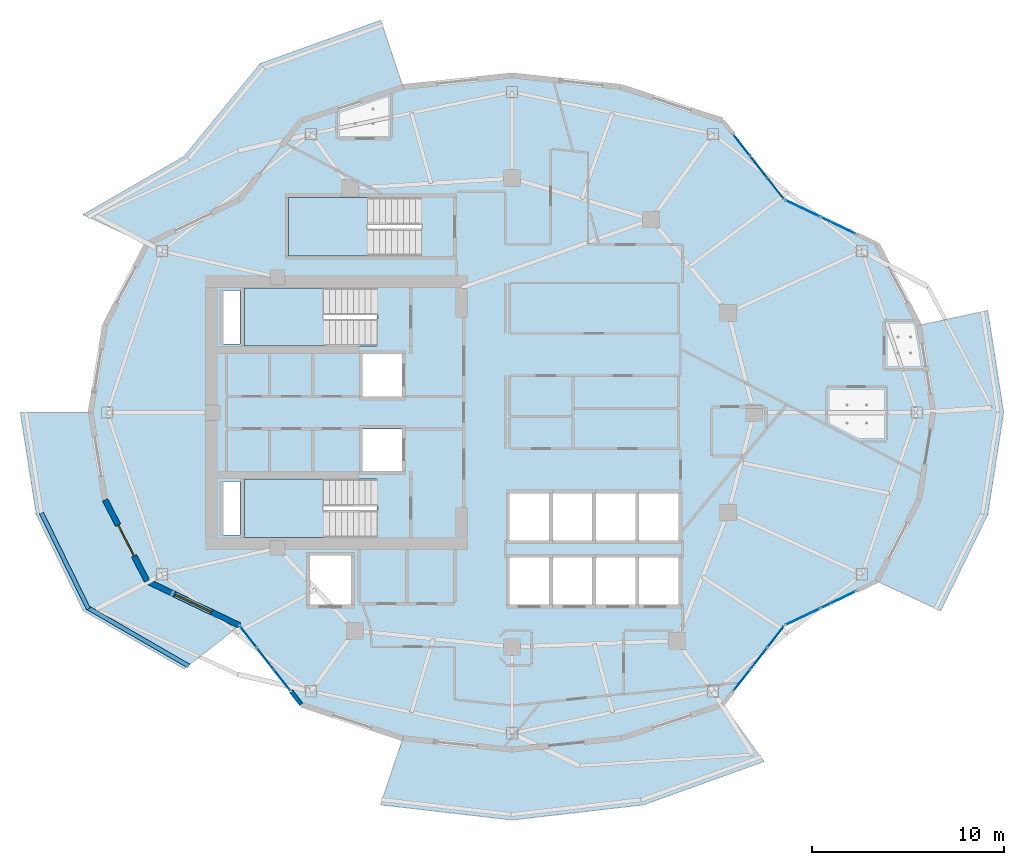
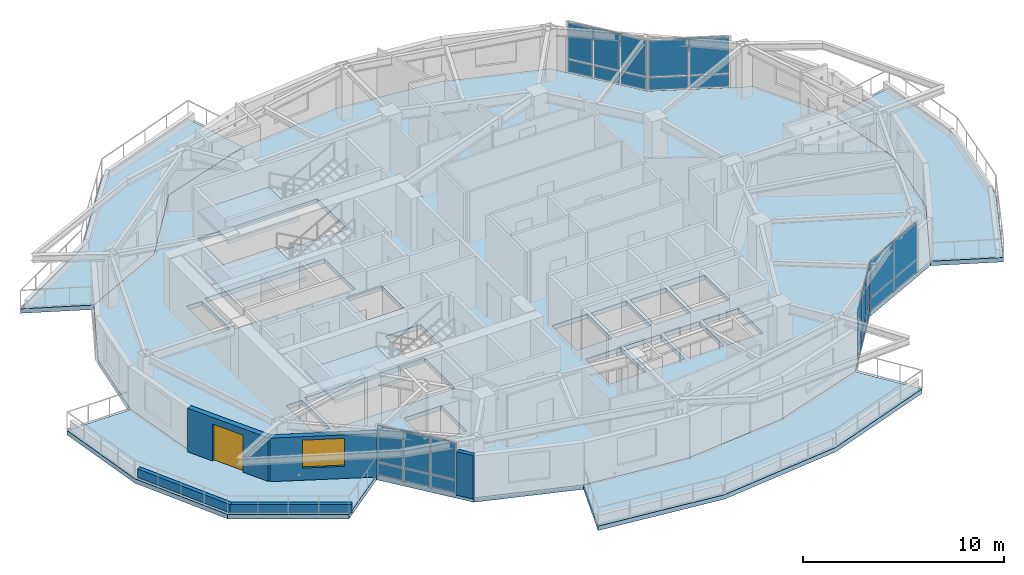
# One storey, part 7 of 18: 31 plates, 8 slabs, 5 walls, 1 door, 1 window, 2 openings, 8 elements without a shape of their own.
"""IFC4 building model written with IfcOpenShell, lengths in metres."""

from ifc_helpers import new_model, si_unit, direction, frame, frame_2d, origin, origin_2d, place, context, subcontext, project, spatial, polyline, rectangle, outline, extrude, material, layer, layer_set, type_object, element, fill, aggregate, save


model = new_model("IFC4")

# Units and contexts
model_context = context("Model", 3, precision=1e-05, world=origin(), true_north=direction((0.0, 1.0)))
body_context = subcontext(model_context, "Body", "Model", "MODEL_VIEW")
ifc_project = project(units=[si_unit("LENGTHUNIT", "METRE"), si_unit("AREAUNIT", "SQUARE_METRE"), si_unit("VOLUMEUNIT", "CUBIC_METRE"), si_unit("PLANEANGLEUNIT", "RADIAN"), si_unit("MASSUNIT", "GRAM", prefix="KILO")], contexts=[model_context])

# Site, building, storey
site_placement = place(None, origin())
site = spatial("IfcSite", under=ifc_project, at=site_placement, CompositionType="ELEMENT")
building_placement = place(site_placement, origin())
building = spatial("IfcBuilding", under=site, at=building_placement, Name="Kolvaren Gate Tower and Convention Centre", CompositionType="ELEMENT")
storey_placement = place(building_placement, frame((0.0, 0.0, 176.699951171875)))
storey = spatial("IfcBuildingStorey", under=building, at=storey_placement, Name="L46", CompositionType="ELEMENT", Elevation=176.699951171875)

# Plates
ifc_material_1 = material(Name="Perforated Anodized Bronze Aluminium Sheet 6 mm", Category="aluminium")
ifc_layer_1 = layer(ifc_material_1, 0.011962890625)
ifc_layer_set_1 = layer_set([ifc_layer_1], Name="Perforated Anodized Bronze Aluminium Sheet 6 mm")
plate_type_1 = type_object("IfcPlateType", Name="ARCH-PL-SCREEN-PERF", PredefinedType="SHEET", material=ifc_layer_set_1)
for number, where, z_axis, x_axis, name in (
    (1, (46.718505859375, 36.930419921875, 2.2900390625), (0.0, 0.0, 1.0), (0.901358389955, -0.433073957723, 0.0), "Tower L46 Perforated Bronze Solar Screen SS-02"),
    (2, (42.70361328125, 40.142333984375, 2.2900390625), (0.0, 0.0, 1.0), (0.616434119112, -0.787406487651, 0.0), "Tower L46 Perforated Bronze Solar Screen SS-03"),
    (3, (17.54638671875, 13.857666015625, 2.2900390625), (0.0, 0.0, 1.0), (0.616434119112, -0.787406487651, 0.0), "Tower L46 Perforated Bronze Solar Screen SS-15"),
    (4, (42.70361328125, 13.857666015625, 2.2900390625), (0.0, 0.0, 1.0), (0.616434119112, 0.787406487651, 0.0), "Tower L46 Perforated Bronze Solar Screen SS-20"),
    (5, (46.718505859375, 17.069580078125, 2.2900390625), (0.0, 0.0, 1.0), (0.901358389955, 0.433073957723, 0.0), "Tower L46 Perforated Bronze Solar Screen SS-21"),
):
    element("IfcPlate", number, at=place(storey_placement, frame(where, z_axis=z_axis, x_axis=x_axis)), inside=storey, type_object=plate_type_1, Name=name, PredefinedType="SHEET", context=body_context, shape_type="SweptSolid", body=[
        extrude(rectangle(XDim=2.60009765625, YDim=0.011962890625, at=origin_2d()), origin(), (0.0, 0.0, 1.0), 0.840087890625),
    ])

# Curtain wall, plates
ifc_material_2 = material(Name="Anodized Architectural Aluminium Alloy 6063-T6", Category="aluminium")
ifc_layer_2 = layer(ifc_material_2, 0.159912109375)
ifc_layer_set_2 = layer_set([ifc_layer_2], Name="Anodized Architectural Aluminium Alloy 6063-T6")
curtain_wall_type = type_object("IfcCurtainWallType", Name="CW-HTL-UNIT", PredefinedType="NOTDEFINED", material=ifc_layer_set_2)
curtain_wall_1_placement = place(storey_placement, origin())
curtain_wall_1 = element("IfcCurtainWall", 6, at=curtain_wall_1_placement, inside=storey, type_object=curtain_wall_type, Name="Tower L46 Unitised Curtain Wall CW-HTL-UNIT Bay 02", PredefinedType="NOTDEFINED")
ifc_material_3 = material(Name="Low-E Triple Insulated Glazing Unit 44 mm", Category="glass")
ifc_layer_3 = layer(ifc_material_3, 0.0439453125)
ifc_layer_set_3 = layer_set([ifc_layer_3], Name="Low-E Triple Insulated Glazing Unit 44 mm")
plate_type_2 = type_object("IfcPlateType", Name="CW-PL-IGU-44", PredefinedType="CURTAIN_PANEL", material=ifc_layer_set_3)
plate_1_placement = place(storey_placement, frame((45.264404296875, 37.629150390625, 0.882568359375), z_axis=(0.0, 0.0, 1.0), x_axis=(0.901358493371, -0.433073742482, 0.0)))
plate_1 = element("IfcPlate", 7, at=plate_1_placement, type_object=plate_type_2, Name="CW-03 panel 1.2", PredefinedType="CURTAIN_PANEL", context=body_context, shape_type="SweptSolid", body=[
    extrude(rectangle(XDim=1.97998046875, YDim=0.0439453125, at=origin_2d()), origin(), (0.0, 0.0, 1.0), 2.1826171875),
])
plate_2_placement = place(storey_placement, frame((47.107666015625, 36.743408203125, 0.882568359375), z_axis=(0.0, 0.0, 1.0), x_axis=(0.901358493371, -0.433073742482, 0.0)))
plate_2 = element("IfcPlate", 8, at=plate_2_placement, type_object=plate_type_2, Name="CW-03 panel 2.2", PredefinedType="CURTAIN_PANEL", context=body_context, shape_type="SweptSolid", body=[
    extrude(rectangle(XDim=1.97998046875, YDim=0.0439453125, at=origin_2d()), origin(), (0.0, 0.0, 1.0), 2.1826171875),
])

curtain_wall_2_placement = place(storey_placement, origin())
curtain_wall_2 = element("IfcCurtainWall", 9, at=curtain_wall_2_placement, inside=storey, type_object=curtain_wall_type, Name="Tower L46 Unitised Curtain Wall CW-HTL-UNIT Bay 03", PredefinedType="NOTDEFINED")
plate_3_placement = place(storey_placement, frame((42.09033203125, 40.925537109375, 0.882568359375), z_axis=(0.0, 0.0, 1.0), x_axis=(0.616437890084, -0.787403535469, 0.0)))
plate_3 = element("IfcPlate", 10, at=plate_3_placement, type_object=plate_type_2, Name="CW-03 panel 1.2", PredefinedType="CURTAIN_PANEL", context=body_context, shape_type="SweptSolid", body=[
    extrude(rectangle(XDim=1.3515625, YDim=0.0439453125, at=origin_2d()), origin(), (0.0, 0.0, 1.0), 2.1826171875),
])
plate_4_placement = place(storey_placement, frame((42.9736328125, 39.79736328125, 0.882568359375), z_axis=(0.0, 0.0, 1.0), x_axis=(0.616437890084, -0.787403535469, 0.0)))
plate_4 = element("IfcPlate", 11, at=plate_4_placement, type_object=plate_type_2, Name="CW-03 panel 2.2", PredefinedType="CURTAIN_PANEL", context=body_context, shape_type="SweptSolid", body=[
    extrude(rectangle(XDim=1.384033203125, YDim=0.0439453125, at=origin_2d()), origin(), (0.0, 0.0, 1.0), 2.1826171875),
])
plate_5_placement = place(storey_placement, frame((43.85693359375, 38.669189453125, 0.882568359375), z_axis=(0.0, 0.0, 1.0), x_axis=(0.616437890084, -0.787403535469, 0.0)))
plate_5 = element("IfcPlate", 12, at=plate_5_placement, type_object=plate_type_2, Name="CW-03 panel 3.2", PredefinedType="CURTAIN_PANEL", context=body_context, shape_type="SweptSolid", body=[
    extrude(rectangle(XDim=1.3515625, YDim=0.0439453125, at=origin_2d()), origin(), (0.0, 0.0, 1.0), 2.1826171875),
])

curtain_wall_3_placement = place(storey_placement, origin())
curtain_wall_3 = element("IfcCurtainWall", 13, at=curtain_wall_3_placement, inside=storey, type_object=curtain_wall_type, Name="Tower L46 Unitised Curtain Wall CW-HTL-UNIT Bay 15", PredefinedType="NOTDEFINED")
plate_6_placement = place(storey_placement, frame((16.39306640625, 15.330810546875, 0.882568359375), z_axis=(0.0, 0.0, 1.0), x_axis=(0.616423627213, -0.787414701294, 0.0)))
plate_6 = element("IfcPlate", 14, at=plate_6_placement, type_object=plate_type_2, Name="CW-03 panel 1.2", PredefinedType="CURTAIN_PANEL", context=body_context, shape_type="SweptSolid", body=[
    extrude(rectangle(XDim=1.3515625, YDim=0.0439453125, at=origin_2d()), origin(), (0.0, 0.0, 1.0), 2.1826171875),
])
plate_7_placement = place(storey_placement, frame((17.2763671875, 14.20263671875, 0.882568359375), z_axis=(0.0, 0.0, 1.0), x_axis=(0.616423627213, -0.787414701294, 0.0)))
plate_7 = element("IfcPlate", 15, at=plate_7_placement, type_object=plate_type_2, Name="CW-03 panel 2.2", PredefinedType="CURTAIN_PANEL", context=body_context, shape_type="SweptSolid", body=[
    extrude(rectangle(XDim=1.384033203125, YDim=0.0439453125, at=origin_2d()), origin(), (0.0, 0.0, 1.0), 2.1826171875),
])
plate_8_placement = place(storey_placement, frame((18.159423828125, 13.074462890625, 0.882568359375), z_axis=(0.0, 0.0, 1.0), x_axis=(0.616423627213, -0.787414701294, 0.0)))
plate_8 = element("IfcPlate", 16, at=plate_8_placement, type_object=plate_type_2, Name="CW-03 panel 3.2", PredefinedType="CURTAIN_PANEL", context=body_context, shape_type="SweptSolid", body=[
    extrude(rectangle(XDim=1.3515625, YDim=0.0439453125, at=origin_2d()), origin(), (0.0, 0.0, 1.0), 2.1826171875),
])

curtain_wall_4_placement = place(storey_placement, origin())
curtain_wall_4 = element("IfcCurtainWall", 17, at=curtain_wall_4_placement, inside=storey, type_object=curtain_wall_type, Name="Tower L46 Unitised Curtain Wall CW-HTL-UNIT Bay 20", PredefinedType="NOTDEFINED")
plate_9_placement = place(storey_placement, frame((42.09033203125, 13.074462890625, 0.882568359375), z_axis=(0.0, 0.0, 1.0), x_axis=(0.616437890084, 0.787403535469, 0.0)))
plate_9 = element("IfcPlate", 18, at=plate_9_placement, type_object=plate_type_2, Name="CW-03 panel 1.2", PredefinedType="CURTAIN_PANEL", context=body_context, shape_type="SweptSolid", body=[
    extrude(rectangle(XDim=1.3515625, YDim=0.0439453125, at=origin_2d()), origin(), (0.0, 0.0, 1.0), 2.1826171875),
])
plate_10_placement = place(storey_placement, frame((42.9736328125, 14.20263671875, 0.882568359375), z_axis=(0.0, 0.0, 1.0), x_axis=(0.616437890084, 0.787403535469, 0.0)))
plate_10 = element("IfcPlate", 19, at=plate_10_placement, type_object=plate_type_2, Name="CW-03 panel 2.2", PredefinedType="CURTAIN_PANEL", context=body_context, shape_type="SweptSolid", body=[
    extrude(rectangle(XDim=1.384033203125, YDim=0.0439453125, at=origin_2d()), origin(), (0.0, 0.0, 1.0), 2.1826171875),
])
plate_11_placement = place(storey_placement, frame((43.85693359375, 15.330810546875, 0.882568359375), z_axis=(0.0, 0.0, 1.0), x_axis=(0.616437890084, 0.787403535469, 0.0)))
plate_11 = element("IfcPlate", 20, at=plate_11_placement, type_object=plate_type_2, Name="CW-03 panel 3.2", PredefinedType="CURTAIN_PANEL", context=body_context, shape_type="SweptSolid", body=[
    extrude(rectangle(XDim=1.3515625, YDim=0.0439453125, at=origin_2d()), origin(), (0.0, 0.0, 1.0), 2.1826171875),
])

curtain_wall_5_placement = place(storey_placement, origin())
curtain_wall_5 = element("IfcCurtainWall", 21, at=curtain_wall_5_placement, inside=storey, type_object=curtain_wall_type, Name="Tower L46 Unitised Curtain Wall CW-HTL-UNIT Bay 21", PredefinedType="NOTDEFINED")
plate_12_placement = place(storey_placement, frame((45.264404296875, 16.370849609375, 0.882568359375), z_axis=(0.0, 0.0, 1.0), x_axis=(0.901358493371, 0.433073742482, 0.0)))
plate_12 = element("IfcPlate", 22, at=plate_12_placement, type_object=plate_type_2, Name="CW-03 panel 1.2", PredefinedType="CURTAIN_PANEL", context=body_context, shape_type="SweptSolid", body=[
    extrude(rectangle(XDim=1.97998046875, YDim=0.0439453125, at=origin_2d()), origin(), (0.0, 0.0, 1.0), 2.1826171875),
])
plate_13_placement = place(storey_placement, frame((47.107666015625, 17.256591796875, 0.882568359375), z_axis=(0.0, 0.0, 1.0), x_axis=(0.901358493371, 0.433073742482, 0.0)))
plate_13 = element("IfcPlate", 23, at=plate_13_placement, type_object=plate_type_2, Name="CW-03 panel 2.2", PredefinedType="CURTAIN_PANEL", context=body_context, shape_type="SweptSolid", body=[
    extrude(rectangle(XDim=1.97998046875, YDim=0.0439453125, at=origin_2d()), origin(), (0.0, 0.0, 1.0), 2.1826171875),
])

# Plate
ifc_material_4 = material(Name="Solar-Control Laminated Curtain Glazing 36 mm", Category="glass")
ifc_layer_4 = layer(ifc_material_4, 0.035888671875)
ifc_layer_set_4 = layer_set([ifc_layer_4], Name="Solar-Control Laminated Curtain Glazing 36 mm")
plate_type_3 = type_object("IfcPlateType", Name="CW-PL-SPAN-36", PredefinedType="CURTAIN_PANEL", material=ifc_layer_set_4)
plate_14_placement = place(storey_placement, frame((45.264404296875, 37.629150390625, 0.065185546875), z_axis=(0.0, 0.0, 1.0), x_axis=(0.901358493371, -0.433073742482, 0.0)))
plate_14 = element("IfcPlate", 24, at=plate_14_placement, type_object=plate_type_3, Name="CW-03 panel 1.1", PredefinedType="CURTAIN_PANEL", context=body_context, shape_type="SweptSolid", body=[
    extrude(rectangle(XDim=1.97998046875, YDim=0.035888671875, at=origin_2d()), origin(), (0.0, 0.0, 1.0), 0.75244140625),
])

plate_15_placement = place(storey_placement, frame((47.107666015625, 36.743408203125, 0.065185546875), z_axis=(0.0, 0.0, 1.0), x_axis=(0.901358493371, -0.433073742482, 0.0)))
plate_15 = element("IfcPlate", 25, at=plate_15_placement, type_object=plate_type_3, Name="CW-03 panel 2.1", PredefinedType="CURTAIN_PANEL", context=body_context, shape_type="SweptSolid", body=[
    extrude(rectangle(XDim=1.97998046875, YDim=0.035888671875, at=origin_2d()), origin(), (0.0, 0.0, 1.0), 0.75244140625),
])

aggregate(curtain_wall_1, [plate_14, plate_1, plate_15, plate_2])

plate_16_placement = place(storey_placement, frame((42.09033203125, 40.925537109375, 0.065185546875), z_axis=(0.0, 0.0, 1.0), x_axis=(0.616437890084, -0.787403535469, 0.0)))
plate_16 = element("IfcPlate", 26, at=plate_16_placement, type_object=plate_type_3, Name="CW-03 panel 1.1", PredefinedType="CURTAIN_PANEL", context=body_context, shape_type="SweptSolid", body=[
    extrude(rectangle(XDim=1.3515625, YDim=0.035888671875, at=origin_2d()), origin(), (0.0, 0.0, 1.0), 0.75244140625),
])

plate_17_placement = place(storey_placement, frame((42.9736328125, 39.79736328125, 0.065185546875), z_axis=(0.0, 0.0, 1.0), x_axis=(0.616437890084, -0.787403535469, 0.0)))
plate_17 = element("IfcPlate", 27, at=plate_17_placement, type_object=plate_type_3, Name="CW-03 panel 2.1", PredefinedType="CURTAIN_PANEL", context=body_context, shape_type="SweptSolid", body=[
    extrude(rectangle(XDim=1.384033203125, YDim=0.035888671875, at=origin_2d()), origin(), (0.0, 0.0, 1.0), 0.75244140625),
])

plate_18_placement = place(storey_placement, frame((43.85693359375, 38.669189453125, 0.065185546875), z_axis=(0.0, 0.0, 1.0), x_axis=(0.616437890084, -0.787403535469, 0.0)))
plate_18 = element("IfcPlate", 28, at=plate_18_placement, type_object=plate_type_3, Name="CW-03 panel 3.1", PredefinedType="CURTAIN_PANEL", context=body_context, shape_type="SweptSolid", body=[
    extrude(rectangle(XDim=1.3515625, YDim=0.035888671875, at=origin_2d()), origin(), (0.0, 0.0, 1.0), 0.75244140625),
])

aggregate(curtain_wall_2, [plate_16, plate_3, plate_17, plate_4, plate_18, plate_5])

plate_19_placement = place(storey_placement, frame((16.39306640625, 15.330810546875, 0.065185546875), z_axis=(0.0, 0.0, 1.0), x_axis=(0.616423627213, -0.787414701294, 0.0)))
plate_19 = element("IfcPlate", 29, at=plate_19_placement, type_object=plate_type_3, Name="CW-03 panel 1.1", PredefinedType="CURTAIN_PANEL", context=body_context, shape_type="SweptSolid", body=[
    extrude(rectangle(XDim=1.3515625, YDim=0.035888671875, at=origin_2d()), origin(), (0.0, 0.0, 1.0), 0.75244140625),
])

plate_20_placement = place(storey_placement, frame((17.2763671875, 14.20263671875, 0.065185546875), z_axis=(0.0, 0.0, 1.0), x_axis=(0.616423627213, -0.787414701294, 0.0)))
plate_20 = element("IfcPlate", 30, at=plate_20_placement, type_object=plate_type_3, Name="CW-03 panel 2.1", PredefinedType="CURTAIN_PANEL", context=body_context, shape_type="SweptSolid", body=[
    extrude(rectangle(XDim=1.384033203125, YDim=0.035888671875, at=origin_2d()), origin(), (0.0, 0.0, 1.0), 0.75244140625),
])

plate_21_placement = place(storey_placement, frame((18.159423828125, 13.074462890625, 0.065185546875), z_axis=(0.0, 0.0, 1.0), x_axis=(0.616423627213, -0.787414701294, 0.0)))
plate_21 = element("IfcPlate", 31, at=plate_21_placement, type_object=plate_type_3, Name="CW-03 panel 3.1", PredefinedType="CURTAIN_PANEL", context=body_context, shape_type="SweptSolid", body=[
    extrude(rectangle(XDim=1.3515625, YDim=0.035888671875, at=origin_2d()), origin(), (0.0, 0.0, 1.0), 0.75244140625),
])

aggregate(curtain_wall_3, [plate_19, plate_6, plate_20, plate_7, plate_21, plate_8])

plate_22_placement = place(storey_placement, frame((42.09033203125, 13.074462890625, 0.065185546875), z_axis=(0.0, 0.0, 1.0), x_axis=(0.616437890084, 0.787403535469, 0.0)))
plate_22 = element("IfcPlate", 32, at=plate_22_placement, type_object=plate_type_3, Name="CW-03 panel 1.1", PredefinedType="CURTAIN_PANEL", context=body_context, shape_type="SweptSolid", body=[
    extrude(rectangle(XDim=1.3515625, YDim=0.035888671875, at=origin_2d()), origin(), (0.0, 0.0, 1.0), 0.75244140625),
])

plate_23_placement = place(storey_placement, frame((42.9736328125, 14.20263671875, 0.065185546875), z_axis=(0.0, 0.0, 1.0), x_axis=(0.616437890084, 0.787403535469, 0.0)))
plate_23 = element("IfcPlate", 33, at=plate_23_placement, type_object=plate_type_3, Name="CW-03 panel 2.1", PredefinedType="CURTAIN_PANEL", context=body_context, shape_type="SweptSolid", body=[
    extrude(rectangle(XDim=1.384033203125, YDim=0.035888671875, at=origin_2d()), origin(), (0.0, 0.0, 1.0), 0.75244140625),
])

plate_24_placement = place(storey_placement, frame((43.85693359375, 15.330810546875, 0.065185546875), z_axis=(0.0, 0.0, 1.0), x_axis=(0.616437890084, 0.787403535469, 0.0)))
plate_24 = element("IfcPlate", 34, at=plate_24_placement, type_object=plate_type_3, Name="CW-03 panel 3.1", PredefinedType="CURTAIN_PANEL", context=body_context, shape_type="SweptSolid", body=[
    extrude(rectangle(XDim=1.3515625, YDim=0.035888671875, at=origin_2d()), origin(), (0.0, 0.0, 1.0), 0.75244140625),
])

aggregate(curtain_wall_4, [plate_22, plate_9, plate_23, plate_10, plate_24, plate_11])

plate_25_placement = place(storey_placement, frame((45.264404296875, 16.370849609375, 0.065185546875), z_axis=(0.0, 0.0, 1.0), x_axis=(0.901358493371, 0.433073742482, 0.0)))
plate_25 = element("IfcPlate", 35, at=plate_25_placement, type_object=plate_type_3, Name="CW-03 panel 1.1", PredefinedType="CURTAIN_PANEL", context=body_context, shape_type="SweptSolid", body=[
    extrude(rectangle(XDim=1.97998046875, YDim=0.035888671875, at=origin_2d()), origin(), (0.0, 0.0, 1.0), 0.75244140625),
])

plate_26_placement = place(storey_placement, frame((47.107666015625, 17.256591796875, 0.065185546875), z_axis=(0.0, 0.0, 1.0), x_axis=(0.901358493371, 0.433073742482, 0.0)))
plate_26 = element("IfcPlate", 36, at=plate_26_placement, type_object=plate_type_3, Name="CW-03 panel 2.1", PredefinedType="CURTAIN_PANEL", context=body_context, shape_type="SweptSolid", body=[
    extrude(rectangle(XDim=1.97998046875, YDim=0.035888671875, at=origin_2d()), origin(), (0.0, 0.0, 1.0), 0.75244140625),
])

aggregate(curtain_wall_5, [plate_25, plate_12, plate_26, plate_13])

# Slabs
ifc_material_5 = material(Name="Concrete C50/60", Category="concrete")
ifc_layer_5 = layer(ifc_material_5, 0.27001953125)
ifc_layer_set_5 = layer_set([ifc_layer_5], Name="Concrete C50/60")
slab_type_1 = type_object("IfcSlabType", Name="STR-SL-BALC-270", PredefinedType="FLOOR", material=ifc_layer_set_5)
slab_1_placement = place(storey_placement, frame((0.0, 0.0, -0.27001953125)))
element("IfcSlab", 37, at=slab_1_placement, inside=storey, type_object=slab_type_1, Name="Tower L46 Planted Balcony Terrace Slab 1 (North)", PredefinedType="FLOOR", context=body_context, shape_type="SweptSolid", body=[
    extrude(outline(polyline([(24.447265625, 43.951904296875), (19.15625, 42.19873046875), (15.9365234375, 38.0859375), (11.126708984375, 35.77490234375), (7.803955078125, 37.309814453125), (13.052490234375, 40.33935546875), (17.014404296875, 45.16650390625), (23.284912109375, 47.422607421875), (24.447265625, 43.951904296875)])), origin(), (0.0, 0.0, 1.0), 0.27001953125),
])
slab_2_placement = place(storey_placement, frame((0.0, 0.0, -0.27001953125)))
element("IfcSlab", 38, at=slab_2_placement, inside=storey, type_object=slab_type_1, Name="Tower L46 Planted Balcony Terrace Slab 2 (West)", PredefinedType="FLOOR", context=body_context, shape_type="SweptSolid", body=[
    extrude(outline(polyline([(8.1875, 27.0), (8.93505859375, 22.457763671875), (11.126708984375, 18.22509765625), (15.9365234375, 15.9140625), (13.052490234375, 13.66064453125), (7.803955078125, 16.690185546875), (5.356201171875, 21.690673828125), (4.527587890625, 27.0), (8.1875, 27.0)])), origin(), (0.0, 0.0, 1.0), 0.27001953125),
])
slab_3_placement = place(storey_placement, frame((0.0, 0.0, -0.27001953125)))
element("IfcSlab", 39, at=slab_3_placement, inside=storey, type_object=slab_type_1, Name="Tower L46 Planted Balcony Terrace Slab 3 (South)", PredefinedType="FLOOR", context=body_context, shape_type="SweptSolid", body=[
    extrude(outline(polyline([(24.447265625, 10.048095703125), (30.125, 9.449951171875), (35.802734375, 10.048095703125), (41.09375, 11.80126953125), (43.235595703125, 8.83349609375), (36.965087890625, 6.577392578125), (30.125, 5.7900390625), (23.284912109375, 6.577392578125), (24.447265625, 10.048095703125)])), origin(), (0.0, 0.0, 1.0), 0.27001953125),
])
slab_4_placement = place(storey_placement, frame((0.0, 0.0, -0.27001953125)))
element("IfcSlab", 40, at=slab_4_placement, inside=storey, type_object=slab_type_1, Name="Tower L46 Planted Balcony Terrace Slab 4 (East)", PredefinedType="FLOOR", context=body_context, shape_type="SweptSolid", body=[
    extrude(outline(polyline([(49.123291015625, 18.22509765625), (51.31494140625, 22.457763671875), (52.0625, 27.0), (51.31494140625, 31.542236328125), (54.893798828125, 32.309326171875), (55.722412109375, 27.0), (54.893798828125, 21.690673828125), (52.446044921875, 16.690185546875), (49.123291015625, 18.22509765625)])), origin(), (0.0, 0.0, 1.0), 0.27001953125),
])
ifc_material_6 = material(Name="Concrete C40/50", Category="concrete")
ifc_layer_6 = layer(ifc_material_6, 0.27001953125)
ifc_layer_set_6 = layer_set([ifc_layer_6], Name="Concrete C40/50")
slab_type_2 = type_object("IfcSlabType", Name="STR-SL-FLR-270", PredefinedType="FLOOR", material=ifc_layer_set_6)
slab_5_placement = place(storey_placement, frame((0.0, 0.0, -0.27001953125)))
element("IfcSlab", 41, at=slab_5_placement, inside=storey, type_object=slab_type_2, Name="Tower L46 Structural Floor Slab", PredefinedType="FLOOR", context=body_context, shape_type="SweptSolid", body=[
    extrude(outline(polyline([(52.0625, 27.0), (51.31494140625, 31.542236328125), (49.123291015625, 35.77490234375), (44.3134765625, 38.0859375), (41.09375, 42.19873046875), (35.802734375, 43.951904296875), (30.125, 44.550048828125), (24.447265625, 43.951904296875), (19.15625, 42.19873046875), (15.9365234375, 38.0859375), (11.126708984375, 35.77490234375), (8.93505859375, 31.542236328125), (8.1875, 27.0), (8.93505859375, 22.457763671875), (11.126708984375, 18.22509765625), (15.9365234375, 15.9140625), (19.15625, 11.80126953125), (24.447265625, 10.048095703125), (30.125, 9.449951171875), (35.802734375, 10.048095703125), (41.09375, 11.80126953125), (44.3134765625, 15.9140625), (49.123291015625, 18.22509765625), (51.31494140625, 22.457763671875), (52.0625, 27.0)]), holes=[polyline([(36.75, 17.0), (36.75, 19.449951171875), (38.800048828125, 19.449951171875), (38.800048828125, 17.0), (36.75, 17.0)]), polyline([(36.75, 20.35009765625), (36.75, 22.800048828125), (38.800048828125, 22.800048828125), (38.800048828125, 20.35009765625), (36.75, 20.35009765625)]), polyline([(34.5, 17.0), (34.5, 19.449951171875), (36.550048828125, 19.449951171875), (36.550048828125, 17.0), (34.5, 17.0)]), polyline([(34.5, 20.35009765625), (34.5, 22.800048828125), (36.550048828125, 22.800048828125), (36.550048828125, 20.35009765625), (34.5, 20.35009765625)]), polyline([(32.25, 17.0), (32.25, 19.449951171875), (34.300048828125, 19.449951171875), (34.300048828125, 17.0), (32.25, 17.0)]), polyline([(32.25, 20.35009765625), (32.25, 22.800048828125), (34.300048828125, 22.800048828125), (34.300048828125, 20.35009765625), (32.25, 20.35009765625)]), polyline([(30.0, 17.0), (30.0, 19.449951171875), (32.050048828125, 19.449951171875), (32.050048828125, 17.0), (30.0, 17.0)]), polyline([(30.0, 20.35009765625), (30.0, 22.800048828125), (32.050048828125, 22.800048828125), (32.050048828125, 20.35009765625), (30.0, 20.35009765625)]), polyline([(25.39990234375, 38.199951171875), (25.39990234375, 35.159912109375), (18.5, 35.159912109375), (18.5, 38.199951171875), (25.39990234375, 38.199951171875)]), polyline([(22.35009765625, 23.9599609375), (22.35009765625, 26.159912109375), (24.39990234375, 26.159912109375), (24.39990234375, 23.9599609375), (22.35009765625, 23.9599609375)]), polyline([(22.35009765625, 27.840087890625), (22.35009765625, 30.0400390625), (24.39990234375, 30.0400390625), (24.39990234375, 27.840087890625), (22.35009765625, 27.840087890625)]), polyline([(23.10009765625, 23.5400390625), (23.10009765625, 20.5), (16.199951171875, 20.5), (16.199951171875, 23.5400390625), (23.10009765625, 23.5400390625)]), polyline([(23.10009765625, 33.5), (23.10009765625, 30.4599609375), (16.199951171875, 30.4599609375), (16.199951171875, 33.5), (23.10009765625, 33.5)]), polyline([(19.60009765625, 17.0), (19.60009765625, 19.550048828125), (21.75, 19.550048828125), (21.75, 17.0), (19.60009765625, 17.0)]), polyline([(15.080078125, 20.6298828125), (15.080078125, 23.419921875), (15.969970703125, 23.419921875), (15.969970703125, 20.6298828125), (15.080078125, 20.6298828125)]), polyline([(15.080078125, 30.580078125), (15.080078125, 33.3701171875), (15.969970703125, 33.3701171875), (15.969970703125, 30.580078125), (15.080078125, 30.580078125)])]), origin(), (0.0, 0.0, 1.0), 0.27001953125),
])

# Stair, slab
stair_type = type_object("IfcStairType", Name="STR-STAIR-CORE", PredefinedType="HALF_TURN_STAIR", material=ifc_material_5)
stair_1_placement = place(storey_placement, origin())
stair_1 = element("IfcStair", 42, at=stair_1_placement, inside=storey, type_object=stair_type, Name="L46 Tower North Exit Stair ST-T1", PredefinedType="HALF_TURN_STAIR")
ifc_layer_7 = layer(ifc_material_5, 0.199951171875)
ifc_layer_set_7 = layer_set([ifc_layer_7], Name="Concrete C50/60")
slab_type_3 = type_object("IfcSlabType", Name="STR-SL-LAND-200", PredefinedType="LANDING", material=ifc_layer_set_7)
slab_6_placement = place(storey_placement, frame((0.0, 0.0, 1.5)))
slab_6 = element("IfcSlab", 43, at=slab_6_placement, type_object=slab_type_3, Name="ST-T1 landing 1", PredefinedType="LANDING", context=body_context, shape_type="SweptSolid", body=[
    extrude(outline(polyline([(20.31005859375, 33.5), (16.199951171875, 33.5), (16.199951171875, 30.4599609375), (20.31005859375, 30.4599609375), (20.31005859375, 33.5)])), origin(), (0.0, 0.0, 1.0), 0.199951171875),
])
aggregate(stair_1, [slab_6])

stair_2_placement = place(storey_placement, origin())
stair_2 = element("IfcStair", 44, at=stair_2_placement, inside=storey, type_object=stair_type, Name="L46 Tower South Exit Stair ST-T2", PredefinedType="HALF_TURN_STAIR")
slab_7_placement = place(storey_placement, frame((0.0, 0.0, 1.5)))
slab_7 = element("IfcSlab", 45, at=slab_7_placement, type_object=slab_type_3, Name="ST-T2 landing 1", PredefinedType="LANDING", context=body_context, shape_type="SweptSolid", body=[
    extrude(outline(polyline([(20.31005859375, 23.5400390625), (16.199951171875, 23.5400390625), (16.199951171875, 20.5), (20.31005859375, 20.5), (20.31005859375, 23.5400390625)])), origin(), (0.0, 0.0, 1.0), 0.199951171875),
])
aggregate(stair_2, [slab_7])

stair_3_placement = place(storey_placement, origin())
stair_3 = element("IfcStair", 46, at=stair_3_placement, inside=storey, type_object=stair_type, Name="L46 Tower Mid-Zone Exit Stair ST-T3", PredefinedType="HALF_TURN_STAIR")
slab_8_placement = place(storey_placement, frame((0.0, 0.0, 1.5)))
slab_8 = element("IfcSlab", 47, at=slab_8_placement, type_object=slab_type_3, Name="ST-T3 landing 1", PredefinedType="LANDING", context=body_context, shape_type="SweptSolid", body=[
    extrude(outline(polyline([(22.610107421875, 38.199951171875), (18.5, 38.199951171875), (18.5, 35.159912109375), (22.610107421875, 35.159912109375), (22.610107421875, 38.199951171875)])), origin(), (0.0, 0.0, 1.0), 0.199951171875),
])
aggregate(stair_3, [slab_8])

# Walls
ifc_material_7 = material(Name="Bogota Sabana Bush-Hammered Sandstone Cladding", Category="masonry")
ifc_layer_8 = layer(ifc_material_7, 0.219970703125)
ifc_layer_set_8 = layer_set([ifc_layer_8], Name="Bogota Sabana Bush-Hammered Sandstone Cladding")
wall_type_1 = type_object("IfcWallType", Name="ARCH-WL-PIER-220", PredefinedType="SOLIDWALL", material=ifc_layer_set_8)
wall_1_placement = place(storey_placement, frame((18.6162109375, 12.4912109375, 0.0), z_axis=(0.0, 0.0, 1.0), x_axis=(0.616368366719, -0.787457958566, 0.0)))
element("IfcWall", 48, at=wall_1_placement, inside=storey, type_object=wall_type_1, Name="Tower L46 Unitised Curtain Wall CW-HTL-UNIT Bay 15 Right Column Pier Wrap", PredefinedType="SOLIDWALL", context=body_context, shape_type="SweptSolid", body=[
    extrude(rectangle(XDim=0.876220703125, YDim=0.219970703125, at=frame_2d((0.43798828125, 0.0))), origin(), (0.0, 0.0, 1.0), 2.653076171875),
])
ifc_material_8 = material(Name="Piedmont Cream Honed Limestone Cladding", Category="masonry")
ifc_layer_9 = layer(ifc_material_8, 0.219970703125)
ifc_layer_set_9 = layer_set([ifc_layer_9], Name="Piedmont Cream Honed Limestone Cladding")
wall_type_2 = type_object("IfcWallType", Name="ARCH-WL-PLANTER-220", PredefinedType="PARAPET", material=ifc_layer_set_9)
wall_2_placement = place(storey_placement, frame((5.6220703125, 21.77880859375, 0.0), z_axis=(0.0, 0.0, 1.0), x_axis=(0.439637174641, -0.898175458735, 0.0)))
element("IfcWall", 49, at=wall_2_placement, inside=storey, type_object=wall_type_2, Name="Vertical-Forest Balcony Stone Planter Kerb PK-L46-2.2", PredefinedType="PARAPET", context=body_context, shape_type="SweptSolid", body=[
    extrude(rectangle(XDim=5.567138671875, YDim=0.219970703125, at=frame_2d((2.78369140625, 0.0))), origin(), (0.0, 0.0, 1.0), 0.52001953125),
])
wall_3_placement = place(storey_placement, frame((8.0439453125, 16.83447265625, 0.0), z_axis=(0.0, 0.0, 1.0), x_axis=(0.866058128659, -0.499943314571, 0.0)))
element("IfcWall", 50, at=wall_3_placement, inside=storey, type_object=wall_type_2, Name="Vertical-Forest Balcony Stone Planter Kerb PK-L46-2.3", PredefinedType="PARAPET", context=body_context, shape_type="SweptSolid", body=[
    extrude(rectangle(XDim=6.060302734375, YDim=0.219970703125, at=frame_2d((3.0302734375, 0.0))), origin(), (0.0, 0.0, 1.0), 0.52001953125),
])

# Wall, opening, door
ifc_layer_10 = layer(ifc_material_8, 0.300048828125)
ifc_layer_set_10 = layer_set([ifc_layer_10], Name="Piedmont Cream Honed Limestone Cladding")
wall_type_3 = type_object("IfcWallType", Name="ARCH-WL-STONE-300", PredefinedType="SOLIDWALL", material=ifc_layer_set_10)
wall_4_placement = place(storey_placement, frame((8.93505859375, 22.457763671875, 0.0), z_axis=(0.0, 0.0, 1.0), x_axis=(0.459810251451, -0.888017191647, 0.0)))
wall_4 = element("IfcWall", 51, at=wall_4_placement, inside=storey, type_object=wall_type_3, Name="Tower L46 Honed Stone Spandrel Wall EW-13", PredefinedType="SOLIDWALL", context=body_context, shape_type="SweptSolid", body=[
    extrude(rectangle(XDim=4.766357421875, YDim=0.300048828125, at=frame_2d((2.38330078125, 0.0))), origin(), (0.0, 0.0, 1.0), 2.653076171875),
])
opening_1_placement = place(wall_4_placement, frame((1.48291015625, 0.0, 0.0)))
opening_1 = element("IfcOpeningElement", 52, at=opening_1_placement, cuts=wall_4, Name="Opening DB-01", PredefinedType="OPENING", context=body_context, shape_type="SweptSolid", body=[
    extrude(rectangle(XDim=1.800048828125, YDim=2.25, at=frame_2d((0.89990234375, 1.125))), frame((0.0, 0.159912109375, 0.0), z_axis=(0.0, -1.0, 0.0), x_axis=(1.0, 0.0, 0.0)), (0.0, 0.0, 1.0), 0.320068359375),
])
door_type = type_object("IfcDoorType", Name="ARCH-DR-BALC-1800", OperationType="SLIDING_TO_LEFT", PredefinedType="DOOR", material=ifc_material_2)
door_placement = place(opening_1_placement, frame((1.800048828125, 0.0, 0.0), z_axis=(0.0, 0.0, 1.0), x_axis=(-1.0, 0.0, 0.0)))
door = element("IfcDoor", 53, at=door_placement, inside=storey, type_object=door_type, Name="Planted Sky Terrace Access Door DB-L46-13", OperationType="SLIDING_TO_LEFT", OverallHeight=2.25, OverallWidth=1.800048828125, PredefinedType="DOOR", context=body_context, shape_type="SweptSolid", body=[
    extrude(rectangle(XDim=1.800048828125, YDim=2.25, at=frame_2d((0.89990234375, 1.125))), frame((0.0, 0.02490234375, 0.0), z_axis=(0.0, -1.0, 0.0), x_axis=(1.0, 0.0, 0.0)), (0.0, 0.0, 1.0), 0.050048828125),
])
fill(opening_1, door)

# Wall, opening, window
wall_5_placement = place(storey_placement, frame((11.126708984375, 18.22509765625, 0.0), z_axis=(0.0, 0.0, 1.0), x_axis=(0.901353070301, -0.433085029363, 0.0)))
wall_5 = element("IfcWall", 54, at=wall_5_placement, inside=storey, type_object=wall_type_3, Name="Tower L46 Honed Stone Spandrel Wall EW-14", PredefinedType="SOLIDWALL", context=body_context, shape_type="SweptSolid", body=[
    extrude(rectangle(XDim=5.336181640625, YDim=0.300048828125, at=frame_2d((2.66796875, 0.0))), origin(), (0.0, 0.0, 1.0), 2.653076171875),
])
opening_2_placement = place(wall_5_placement, frame((1.617919921875, 0.0, 0.739990234375)))
opening_2 = element("IfcOpeningElement", 55, at=opening_2_placement, cuts=wall_5, Name="Opening W-02", PredefinedType="OPENING", context=body_context, shape_type="SweptSolid", body=[
    extrude(rectangle(XDim=2.10009765625, YDim=1.699951171875, at=frame_2d((1.050048828125, 0.85009765625))), frame((0.0, 0.159912109375, 0.0), z_axis=(0.0, -1.0, 0.0), x_axis=(1.0, 0.0, 0.0)), (0.0, 0.0, 1.0), 0.320068359375),
])
window_type = type_object("IfcWindowType", Name="ARCH-WN-HTL-2100", PartitioningType="SINGLE_PANEL", PredefinedType="WINDOW", material=ifc_material_3)
window_placement = place(opening_2_placement, origin())
window = element("IfcWindow", 56, at=window_placement, inside=storey, type_object=window_type, Name="Tower L46 Punched Stone Facade Window W-14", OverallHeight=1.699951171875, OverallWidth=2.10009765625, PartitioningType="SINGLE_PANEL", PredefinedType="WINDOW", context=body_context, shape_type="SweptSolid", body=[
    extrude(rectangle(XDim=2.10009765625, YDim=1.699951171875, at=frame_2d((1.050048828125, 0.85009765625))), frame((0.0, 0.030029296875, 0.0), z_axis=(0.0, -1.0, 0.0), x_axis=(1.0, 0.0, 0.0)), (0.0, 0.0, 1.0), 0.06005859375),
])
fill(opening_2, window)

save(model, "model.ifc")
